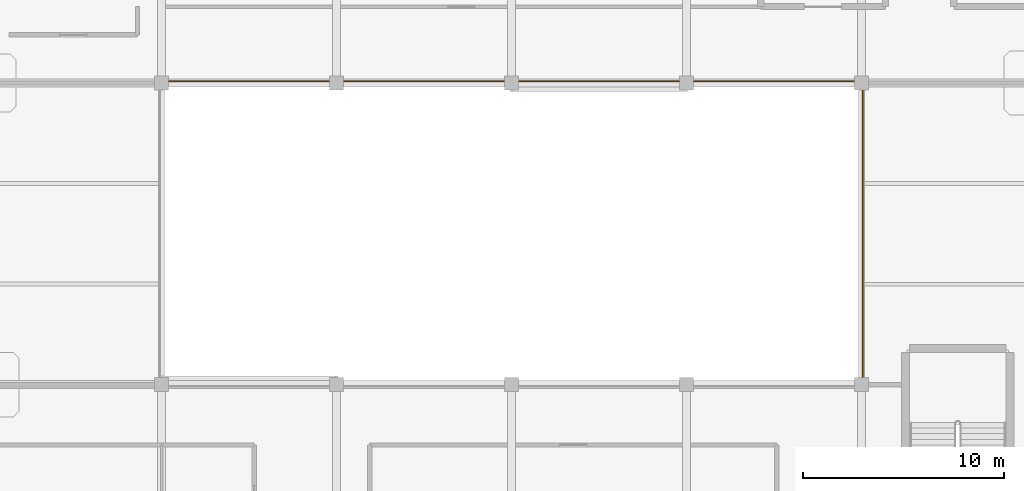
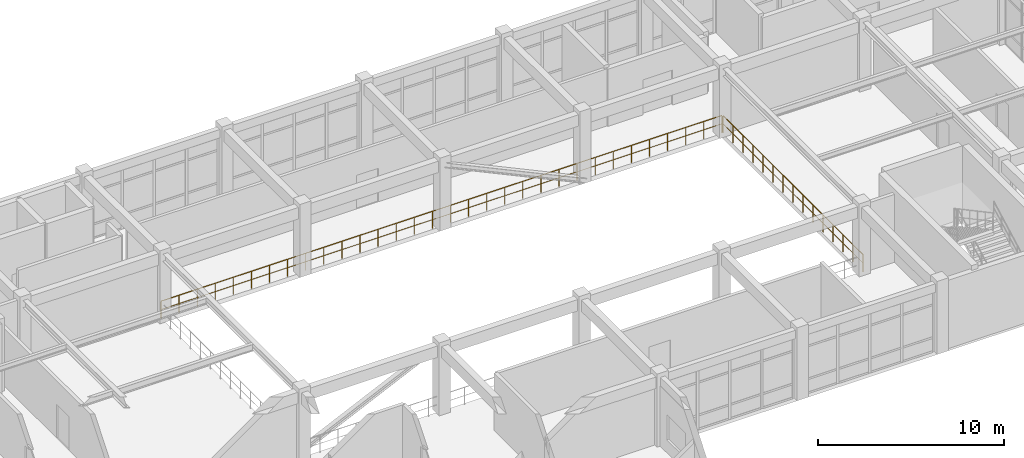
# One storey, part 72 of 76: 2 railings.
"""IFC4 building model written with IfcOpenShell, lengths in metres."""

from ifc_helpers import new_model, si_unit, derived_unit, direction, frame, origin, origin_2d, place, context, subcontext, project, spatial, circle, extrude, material, type_object, element, save


model = new_model("IFC4")

# Units and contexts
model_context = context("Model", 3, precision=1e-05, world=origin(), true_north=direction((0.0, 1.0)))
body_context = subcontext(model_context, "Body", "Model", "MODEL_VIEW")
ifc_project = project(units=[si_unit("LENGTHUNIT", "METRE"), si_unit("AREAUNIT", "SQUARE_METRE"), si_unit("VOLUMEUNIT", "CUBIC_METRE"), si_unit("PLANEANGLEUNIT", "RADIAN"), si_unit("MASSUNIT", "GRAM", prefix="KILO"), derived_unit("THERMALTRANSMITTANCEUNIT", [(si_unit("MASSUNIT", "GRAM", prefix="KILO"), 1), (si_unit("TIMEUNIT", "SECOND"), -3), (si_unit("THERMODYNAMICTEMPERATUREUNIT", "KELVIN"), -1)])], contexts=[model_context])

# Site, building, storey
site_placement = place(None, origin())
site = spatial("IfcSite", under=ifc_project, at=site_placement, CompositionType="ELEMENT")
building_placement = place(site_placement, origin())
building = spatial("IfcBuilding", under=site, at=building_placement, Name="Qinzheling Arcade Emporium", CompositionType="ELEMENT")
storey_placement = place(building_placement, frame((0.0, 0.0, 26.699951171875)))
storey = spatial("IfcBuildingStorey", under=building, at=storey_placement, Name="L06", CompositionType="ELEMENT", Elevation=26.699951171875)

# Railings
ifc_material = material(Name="Galvanised powder-coated tubular steel", Category="steel")
railing_type = type_object("IfcRailingType", Name="Painted Steel Stairwell Guard Railing 1150", PredefinedType="GUARDRAIL", material=ifc_material)
railing_1_placement = place(storey_placement, frame((52.169921875, 65.47998046875, 0.0)))
element("IfcRailing", 1, at=railing_1_placement, inside=storey, type_object=railing_type, Name="Atrium Void Guard L06 N", PredefinedType="GUARDRAIL", context=body_context, shape_type="SweptSolid", body=[
    extrude(circle(Radius=0.02392578125, at=origin_2d()), frame((0.0, 0.0, 1.1259765625), z_axis=(1.0, 0.0, 0.0), x_axis=(0.0, 1.0, 0.0)), (0.0, 0.0, 1.0), 34.860107421875),
    extrude(circle(Radius=0.01611328125, at=origin_2d()), frame((0.0, 0.0, 0.574951171875), z_axis=(1.0, 0.0, 0.0), x_axis=(0.0, 1.0, 0.0)), (0.0, 0.0, 1.0), 34.860107421875),
    extrude(circle(Radius=0.02099609375, at=origin_2d()), origin(), (0.0, 0.0, 1.0), 1.101806640625),
    extrude(circle(Radius=0.02099609375, at=origin_2d()), frame((1.12451171875, 0.0, 0.0)), (0.0, 0.0, 1.0), 1.101806640625),
    extrude(circle(Radius=0.02099609375, at=origin_2d()), frame((2.2490234375, 0.0, 0.0)), (0.0, 0.0, 1.0), 1.101806640625),
    extrude(circle(Radius=0.02099609375, at=origin_2d()), frame((3.37353515625, 0.0, 0.0)), (0.0, 0.0, 1.0), 1.101806640625),
    extrude(circle(Radius=0.02099609375, at=origin_2d()), frame((4.498046875, 0.0, 0.0)), (0.0, 0.0, 1.0), 1.101806640625),
    extrude(circle(Radius=0.02099609375, at=origin_2d()), frame((5.62255859375, 0.0, 0.0)), (0.0, 0.0, 1.0), 1.101806640625),
    extrude(circle(Radius=0.02099609375, at=origin_2d()), frame((6.7470703125, 0.0, 0.0)), (0.0, 0.0, 1.0), 1.101806640625),
    extrude(circle(Radius=0.02099609375, at=origin_2d()), frame((7.87158203125, 0.0, 0.0)), (0.0, 0.0, 1.0), 1.101806640625),
    extrude(circle(Radius=0.02099609375, at=origin_2d()), frame((8.99609375, 0.0, 0.0)), (0.0, 0.0, 1.0), 1.101806640625),
    extrude(circle(Radius=0.02099609375, at=origin_2d()), frame((10.12060546875, 0.0, 0.0)), (0.0, 0.0, 1.0), 1.101806640625),
    extrude(circle(Radius=0.02099609375, at=origin_2d()), frame((11.2451171875, 0.0, 0.0)), (0.0, 0.0, 1.0), 1.101806640625),
    extrude(circle(Radius=0.02099609375, at=origin_2d()), frame((12.36962890625, 0.0, 0.0)), (0.0, 0.0, 1.0), 1.101806640625),
    extrude(circle(Radius=0.02099609375, at=origin_2d()), frame((13.494140625, 0.0, 0.0)), (0.0, 0.0, 1.0), 1.101806640625),
    extrude(circle(Radius=0.02099609375, at=origin_2d()), frame((14.61865234375, 0.0, 0.0)), (0.0, 0.0, 1.0), 1.101806640625),
    extrude(circle(Radius=0.02099609375, at=origin_2d()), frame((15.7431640625, 0.0, 0.0)), (0.0, 0.0, 1.0), 1.101806640625),
    extrude(circle(Radius=0.02099609375, at=origin_2d()), frame((16.86767578125, 0.0, 0.0)), (0.0, 0.0, 1.0), 1.101806640625),
    extrude(circle(Radius=0.02099609375, at=origin_2d()), frame((17.992431640625, 0.0, 0.0)), (0.0, 0.0, 1.0), 1.101806640625),
    extrude(circle(Radius=0.02099609375, at=origin_2d()), frame((19.116943359375, 0.0, 0.0)), (0.0, 0.0, 1.0), 1.101806640625),
    extrude(circle(Radius=0.02099609375, at=origin_2d()), frame((20.241455078125, 0.0, 0.0)), (0.0, 0.0, 1.0), 1.101806640625),
    extrude(circle(Radius=0.02099609375, at=origin_2d()), frame((21.365966796875, 0.0, 0.0)), (0.0, 0.0, 1.0), 1.101806640625),
    extrude(circle(Radius=0.02099609375, at=origin_2d()), frame((22.490478515625, 0.0, 0.0)), (0.0, 0.0, 1.0), 1.101806640625),
    extrude(circle(Radius=0.02099609375, at=origin_2d()), frame((23.614990234375, 0.0, 0.0)), (0.0, 0.0, 1.0), 1.101806640625),
    extrude(circle(Radius=0.02099609375, at=origin_2d()), frame((24.739501953125, 0.0, 0.0)), (0.0, 0.0, 1.0), 1.101806640625),
    extrude(circle(Radius=0.02099609375, at=origin_2d()), frame((25.864013671875, 0.0, 0.0)), (0.0, 0.0, 1.0), 1.101806640625),
    extrude(circle(Radius=0.02099609375, at=origin_2d()), frame((26.988525390625, 0.0, 0.0)), (0.0, 0.0, 1.0), 1.101806640625),
    extrude(circle(Radius=0.02099609375, at=origin_2d()), frame((28.113037109375, 0.0, 0.0)), (0.0, 0.0, 1.0), 1.101806640625),
    extrude(circle(Radius=0.02099609375, at=origin_2d()), frame((29.237548828125, 0.0, 0.0)), (0.0, 0.0, 1.0), 1.101806640625),
    extrude(circle(Radius=0.02099609375, at=origin_2d()), frame((30.362060546875, 0.0, 0.0)), (0.0, 0.0, 1.0), 1.101806640625),
    extrude(circle(Radius=0.02099609375, at=origin_2d()), frame((31.486572265625, 0.0, 0.0)), (0.0, 0.0, 1.0), 1.101806640625),
    extrude(circle(Radius=0.02099609375, at=origin_2d()), frame((32.611083984375, 0.0, 0.0)), (0.0, 0.0, 1.0), 1.101806640625),
    extrude(circle(Radius=0.02099609375, at=origin_2d()), frame((33.735595703125, 0.0, 0.0)), (0.0, 0.0, 1.0), 1.101806640625),
    extrude(circle(Radius=0.02099609375, at=origin_2d()), frame((34.860107421875, 0.0, 0.0)), (0.0, 0.0, 1.0), 1.101806640625),
])
railing_2_placement = place(storey_placement, frame((87.080078125, 50.3701171875, 0.0)))
element("IfcRailing", 2, at=railing_2_placement, inside=storey, type_object=railing_type, Name="Atrium Void Guard L06 E", PredefinedType="GUARDRAIL", context=body_context, shape_type="SweptSolid", body=[
    extrude(circle(Radius=0.02392578125, at=origin_2d()), frame((0.0, 0.0, 1.1259765625), z_axis=(0.0, 1.0, 0.0), x_axis=(-1.0, 0.0, 0.0)), (0.0, 0.0, 1.0), 15.059814453125),
    extrude(circle(Radius=0.01611328125, at=origin_2d()), frame((0.0, 0.0, 0.574951171875), z_axis=(0.0, 1.0, 0.0), x_axis=(-1.0, 0.0, 0.0)), (0.0, 0.0, 1.0), 15.059814453125),
    extrude(circle(Radius=0.02099609375, at=origin_2d()), origin(), (0.0, 0.0, 1.0), 1.101806640625),
    extrude(circle(Radius=0.02099609375, at=origin_2d()), frame((0.0, 1.07568359375, 0.0)), (0.0, 0.0, 1.0), 1.101806640625),
    extrude(circle(Radius=0.02099609375, at=origin_2d()), frame((0.0, 2.1513671875, 0.0)), (0.0, 0.0, 1.0), 1.101806640625),
    extrude(circle(Radius=0.02099609375, at=origin_2d()), frame((0.0, 3.22705078125, 0.0)), (0.0, 0.0, 1.0), 1.101806640625),
    extrude(circle(Radius=0.02099609375, at=origin_2d()), frame((0.0, 4.302734375, 0.0)), (0.0, 0.0, 1.0), 1.101806640625),
    extrude(circle(Radius=0.02099609375, at=origin_2d()), frame((0.0, 5.37841796875, 0.0)), (0.0, 0.0, 1.0), 1.101806640625),
    extrude(circle(Radius=0.02099609375, at=origin_2d()), frame((0.0, 6.4541015625, 0.0)), (0.0, 0.0, 1.0), 1.101806640625),
    extrude(circle(Radius=0.02099609375, at=origin_2d()), frame((0.0, 7.52978515625, 0.0)), (0.0, 0.0, 1.0), 1.101806640625),
    extrude(circle(Radius=0.02099609375, at=origin_2d()), frame((0.0, 8.605712890625, 0.0)), (0.0, 0.0, 1.0), 1.101806640625),
    extrude(circle(Radius=0.02099609375, at=origin_2d()), frame((0.0, 9.681396484375, 0.0)), (0.0, 0.0, 1.0), 1.101806640625),
    extrude(circle(Radius=0.02099609375, at=origin_2d()), frame((0.0, 10.757080078125, 0.0)), (0.0, 0.0, 1.0), 1.101806640625),
    extrude(circle(Radius=0.02099609375, at=origin_2d()), frame((0.0, 11.832763671875, 0.0)), (0.0, 0.0, 1.0), 1.101806640625),
    extrude(circle(Radius=0.02099609375, at=origin_2d()), frame((0.0, 12.908447265625, 0.0)), (0.0, 0.0, 1.0), 1.101806640625),
    extrude(circle(Radius=0.02099609375, at=origin_2d()), frame((0.0, 13.984130859375, 0.0)), (0.0, 0.0, 1.0), 1.101806640625),
    extrude(circle(Radius=0.02099609375, at=origin_2d()), frame((0.0, 15.059814453125, 0.0)), (0.0, 0.0, 1.0), 1.101806640625),
])

save(model, "model.ifc")
